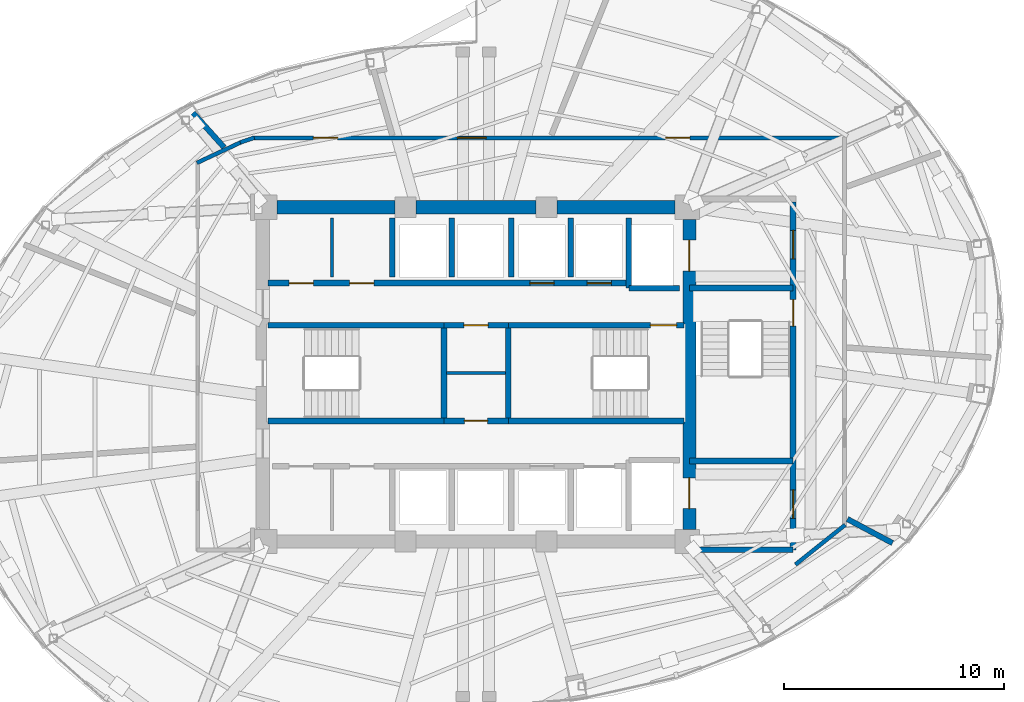
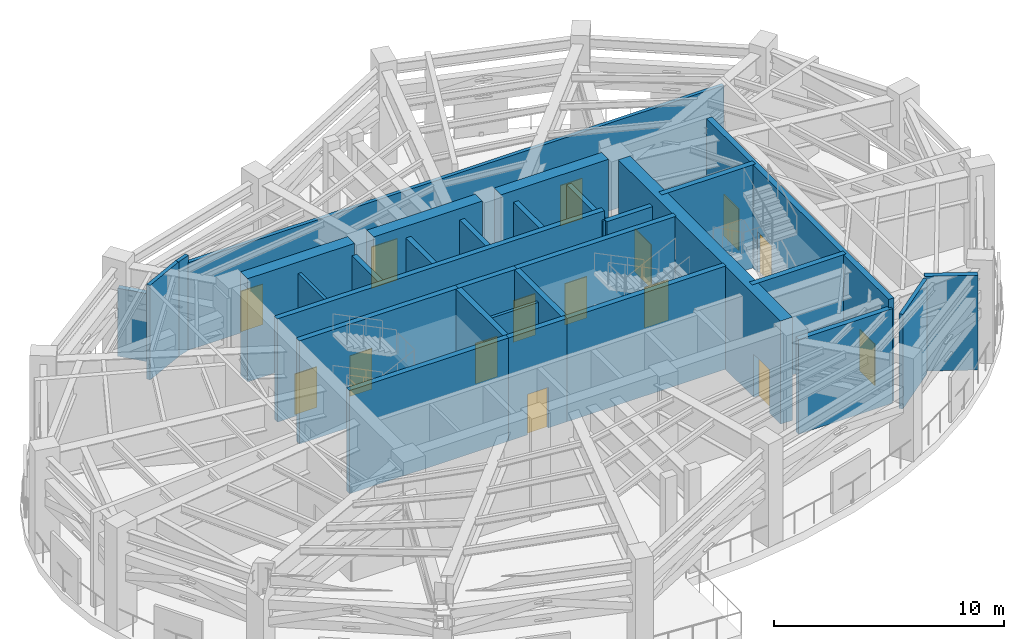
# One storey, part 8 of 12: 31 walls, 15 doors, 15 openings.
"""IFC4 building model written with IfcOpenShell, lengths in metres."""

from ifc_helpers import new_model, si_unit, direction, frame, frame_2d, origin, place, context, subcontext, project, spatial, rectangle, extrude, material, layer, layer_set, type_object, element, fill, save


model = new_model("IFC4")

# Units and contexts
model_context = context("Model", 3, precision=1e-05, world=origin(), true_north=direction((0.0, 1.0)))
body_context = subcontext(model_context, "Body", "Model", "MODEL_VIEW")
ifc_project = project(units=[si_unit("LENGTHUNIT", "METRE"), si_unit("AREAUNIT", "SQUARE_METRE"), si_unit("VOLUMEUNIT", "CUBIC_METRE"), si_unit("PLANEANGLEUNIT", "RADIAN"), si_unit("MASSUNIT", "GRAM", prefix="KILO")], contexts=[model_context])

# Site, building, storey
site_placement = place(None, origin())
site = spatial("IfcSite", under=ifc_project, at=site_placement, CompositionType="ELEMENT")
building_placement = place(site_placement, origin())
building = spatial("IfcBuilding", under=site, at=building_placement, Name="Lazwardi Medical Tower", CompositionType="ELEMENT")
storey_placement = place(building_placement, frame((0.0, 0.0, 189.360107421875)))
storey = spatial("IfcBuildingStorey", under=building, at=storey_placement, Name="L49", CompositionType="ELEMENT", Elevation=189.360107421875)

# Walls
ifc_material_1 = material(Name="Fire-rated gypsum board on steel stud", Category="steel")
ifc_layer_1 = layer(ifc_material_1, 0.179931640625)
ifc_layer_set_1 = layer_set([ifc_layer_1], Name="Fire-rated gypsum board on steel stud")
wall_type_1 = type_object("IfcWallType", Name="WL-COR-180", PredefinedType="PARTITIONING", material=ifc_layer_set_1)
wall_1_placement = place(storey_placement, frame((23.313720703125, 37.616943359375, 0.0), z_axis=(0.0, 0.0, 1.0), x_axis=(0.905731790856, 0.423851298255, 0.0)))
element("IfcWall", 1, at=wall_1_placement, inside=storey, type_object=wall_type_1, Name="L49 Corridor partition 1", PredefinedType="PARTITIONING", context=body_context, shape_type="SweptSolid", body=[
    extrude(rectangle(XDim=2.255126953125, YDim=0.179931640625, at=frame_2d((1.12744140625, 0.0))), origin(), (0.0, 0.0, 1.0), 5.02197265625),
])
wall_2_placement = place(storey_placement, frame((25.2822265625, 38.54248046875, 0.0), z_axis=(0.0, 0.0, 1.0), x_axis=(0.94508059942, 0.326837361085, 0.0)))
element("IfcWall", 2, at=wall_2_placement, inside=storey, type_object=wall_type_1, Name="L49 Corridor partition 2", PredefinedType="PARTITIONING", context=body_context, shape_type="SweptSolid", body=[
    extrude(rectangle(XDim=0.67529296875, YDim=0.179931640625, at=frame_2d((0.337646484375, 0.0))), origin(), (0.0, 0.0, 1.0), 5.02197265625),
])

# Wall, openings, doors
wall_3_placement = place(storey_placement, frame((25.842529296875, 38.75, 0.0), z_axis=(0.0, 0.0, 1.0), x_axis=(1.0, 0.0, 0.0)))
wall_3 = element("IfcWall", 3, at=wall_3_placement, inside=storey, type_object=wall_type_1, Name="L49 Corridor partition 3", PredefinedType="PARTITIONING", context=body_context, shape_type="SweptSolid", body=[
    extrude(rectangle(XDim=26.947509765625, YDim=0.179931640625, at=frame_2d((13.4736328125, 0.0))), origin(), (0.0, 0.0, 1.0), 4.64697265625),
])
opening_1_placement = place(wall_3_placement, frame((18.77978515625, 0.0, 0.0)))
opening_1 = element("IfcOpeningElement", 4, at=opening_1_placement, cuts=wall_3, Name="Opening D-L49-014", PredefinedType="OPENING", context=body_context, shape_type="SweptSolid", body=[
    extrude(rectangle(XDim=1.10009765625, YDim=2.14990234375, at=frame_2d((0.550048828125, 1.074951171875))), frame((0.0, 0.099853515625, 0.0), z_axis=(0.0, -1.0, 0.0), x_axis=(1.0, 0.0, 0.0)), (0.0, 0.0, 1.0), 0.199951171875),
])
opening_2_placement = place(wall_3_placement, frame((9.31201171875, 0.0, 0.0)))
opening_2 = element("IfcOpeningElement", 5, at=opening_2_placement, cuts=wall_3, Name="Opening D-L49-015", PredefinedType="OPENING", context=body_context, shape_type="SweptSolid", body=[
    extrude(rectangle(XDim=1.300048828125, YDim=2.199951171875, at=frame_2d((0.64990234375, 1.10009765625))), frame((0.0, 0.099853515625, 0.0), z_axis=(0.0, -1.0, 0.0), x_axis=(1.0, 0.0, 0.0)), (0.0, 0.0, 1.0), 0.199951171875),
])
opening_3_placement = place(wall_3_placement, frame((2.760986328125, 0.0, 0.0)))
opening_3 = element("IfcOpeningElement", 6, at=opening_3_placement, cuts=wall_3, Name="Opening D-L49-016", PredefinedType="OPENING", context=body_context, shape_type="SweptSolid", body=[
    extrude(rectangle(XDim=1.10009765625, YDim=2.14990234375, at=frame_2d((0.550048828125, 1.074951171875))), frame((0.0, 0.099853515625, 0.0), z_axis=(0.0, -1.0, 0.0), x_axis=(1.0, 0.0, 0.0)), (0.0, 0.0, 1.0), 0.199951171875),
])
ifc_material_2 = material(Name="Fire-rated steel leaf and frame", Category="steel")
door_type_1 = type_object("IfcDoorType", Name="DR-FFL-1300", OperationType="NOTDEFINED", PredefinedType="DOOR", material=ifc_material_2)
door_1_placement = place(opening_2_placement, origin())
door_1 = element("IfcDoor", 7, at=door_1_placement, inside=storey, type_object=door_type_1, Name="L49 Area of Refuge Door 05", OperationType="SINGLE_SWING_RIGHT", OverallHeight=2.199951171875, OverallWidth=1.300048828125, PredefinedType="DOOR", context=body_context, shape_type="SweptSolid", body=[
    extrude(rectangle(XDim=1.300048828125, YDim=2.199951171875, at=frame_2d((0.64990234375, 1.10009765625))), frame((0.0, 0.02490234375, 0.0), z_axis=(0.0, -1.0, 0.0), x_axis=(1.0, 0.0, 0.0)), (0.0, 0.0, 1.0), 0.050048828125),
])
fill(opening_2, door_1)
door_type_2 = type_object("IfcDoorType", Name="DR-PLT-1100", OperationType="NOTDEFINED", PredefinedType="DOOR", material=ifc_material_2)
door_2_placement = place(opening_1_placement, origin())
door_2 = element("IfcDoor", 8, at=door_2_placement, inside=storey, type_object=door_type_2, Name="L49 AHU Plant Room Door 04", OperationType="SINGLE_SWING_LEFT", OverallHeight=2.14990234375, OverallWidth=1.10009765625, PredefinedType="DOOR", context=body_context, shape_type="SweptSolid", body=[
    extrude(rectangle(XDim=1.10009765625, YDim=2.14990234375, at=frame_2d((0.550048828125, 1.074951171875))), frame((0.0, 0.02490234375, 0.0), z_axis=(0.0, -1.0, 0.0), x_axis=(1.0, 0.0, 0.0)), (0.0, 0.0, 1.0), 0.050048828125),
])
fill(opening_1, door_2)
door_3_placement = place(opening_3_placement, origin())
door_3 = element("IfcDoor", 9, at=door_3_placement, inside=storey, type_object=door_type_2, Name="L49 Pump Room Door 06", OperationType="SINGLE_SWING_LEFT", OverallHeight=2.14990234375, OverallWidth=1.10009765625, PredefinedType="DOOR", context=body_context, shape_type="SweptSolid", body=[
    extrude(rectangle(XDim=1.10009765625, YDim=2.14990234375, at=frame_2d((0.550048828125, 1.074951171875))), frame((0.0, 0.02490234375, 0.0), z_axis=(0.0, -1.0, 0.0), x_axis=(1.0, 0.0, 0.0)), (0.0, 0.0, 1.0), 0.050048828125),
])
fill(opening_3, door_3)

# Wall
wall_4_placement = place(storey_placement, frame((52.78125, 21.161376953125, 0.0), z_axis=(0.0, 0.0, 1.0), x_axis=(-0.781386795829, -0.624047013697, 0.0)))
element("IfcWall", 10, at=wall_4_placement, inside=storey, type_object=wall_type_1, Name="L49 Corridor partition 5", PredefinedType="PARTITIONING", context=body_context, shape_type="SweptSolid", body=[
    extrude(rectangle(XDim=2.8955078125, YDim=0.179931640625, at=frame_2d((1.44775390625, 0.0))), origin(), (0.0, 0.0, 1.0), 5.02197265625),
])

# Wall, openings, doors
ifc_material_3 = material(Name="Concrete C60/75", Category="concrete")
ifc_layer_2 = layer(ifc_material_3, 0.60009765625)
ifc_layer_set_2 = layer_set([ifc_layer_2], Name="Concrete C60/75")
wall_type_2 = type_object("IfcWallType", Name="WL-CORE-600", PredefinedType="SHEAR", material=ifc_layer_set_2)
wall_5_placement = place(storey_placement, frame((45.699951171875, 20.949951171875, 0.0), z_axis=(0.0, 0.0, 1.0), x_axis=(0.0, 1.0, 0.0)))
wall_5 = element("IfcWall", 11, at=wall_5_placement, inside=storey, type_object=wall_type_2, Name="Core wall CW-S3 east L49", PredefinedType="SHEAR", context=body_context, shape_type="SweptSolid", body=[
    extrude(rectangle(XDim=14.10009765625, YDim=0.60009765625, at=frame_2d((7.050048828125, 0.0))), origin(), (0.0, 0.0, 1.0), 5.471923828125),
])
opening_4_placement = place(wall_5_placement, frame((11.75, 0.0, 0.0)))
opening_4 = element("IfcOpeningElement", 12, at=opening_4_placement, cuts=wall_5, Name="Opening LD-L49-001", PredefinedType="OPENING", context=body_context, shape_type="SweptSolid", body=[
    extrude(rectangle(XDim=1.39990234375, YDim=2.300048828125, at=frame_2d((0.699951171875, 1.14990234375))), frame((0.0, 0.31005859375, 0.0), z_axis=(0.0, -1.0, 0.0), x_axis=(1.0, 0.0, 0.0)), (0.0, 0.0, 1.0), 0.6201171875),
])
opening_5_placement = place(wall_5_placement, frame((0.949951171875, 0.0, 0.0)))
opening_5 = element("IfcOpeningElement", 13, at=opening_5_placement, cuts=wall_5, Name="Opening LD-L49-002", PredefinedType="OPENING", context=body_context, shape_type="SweptSolid", body=[
    extrude(rectangle(XDim=1.39990234375, YDim=2.300048828125, at=frame_2d((0.699951171875, 1.14990234375))), frame((0.0, 0.31005859375, 0.0), z_axis=(0.0, -1.0, 0.0), x_axis=(1.0, 0.0, 0.0)), (0.0, 0.0, 1.0), 0.6201171875),
])
ifc_material_4 = material(Name="Brushed stainless steel bed-lift landing door", Category="steel")
door_type_3 = type_object("IfcDoorType", Name="DR-LFT-1400", OperationType="NOTDEFINED", PredefinedType="DOOR", material=ifc_material_4)
door_4_placement = place(opening_4_placement, origin())
door_4 = element("IfcDoor", 14, at=door_4_placement, inside=storey, type_object=door_type_3, Name="L49 Lift Landing Door FL-01", OperationType="SLIDING_TO_LEFT", OverallHeight=2.300048828125, OverallWidth=1.39990234375, PredefinedType="DOOR", context=body_context, shape_type="SweptSolid", body=[
    extrude(rectangle(XDim=1.39990234375, YDim=2.300048828125, at=frame_2d((0.699951171875, 1.14990234375))), frame((0.0, 0.02490234375, 0.0), z_axis=(0.0, -1.0, 0.0), x_axis=(1.0, 0.0, 0.0)), (0.0, 0.0, 1.0), 0.050048828125),
])
fill(opening_4, door_4)
door_5_placement = place(opening_5_placement, origin())
door_5 = element("IfcDoor", 15, at=door_5_placement, inside=storey, type_object=door_type_3, Name="L49 Lift Landing Door FL-02", OperationType="SLIDING_TO_LEFT", OverallHeight=2.300048828125, OverallWidth=1.39990234375, PredefinedType="DOOR", context=body_context, shape_type="SweptSolid", body=[
    extrude(rectangle(XDim=1.39990234375, YDim=2.300048828125, at=frame_2d((0.699951171875, 1.14990234375))), frame((0.0, 0.02490234375, 0.0), z_axis=(0.0, -1.0, 0.0), x_axis=(1.0, 0.0, 0.0)), (0.0, 0.0, 1.0), 0.050048828125),
])
fill(opening_5, door_5)

# Walls
wall_6_placement = place(storey_placement, frame((26.949951171875, 35.60009765625, 0.0), z_axis=(0.0, 0.0, 1.0), x_axis=(1.0, 0.0, 0.0)))
element("IfcWall", 16, at=wall_6_placement, inside=storey, type_object=wall_type_2, Name="Core wall CW-S3 N1 L49", PredefinedType="SHEAR", context=body_context, shape_type="SweptSolid", body=[
    extrude(rectangle(XDim=5.375, YDim=0.60009765625, at=frame_2d((2.6875, 0.0))), origin(), (0.0, 0.0, 1.0), 5.471923828125),
])
wall_7_placement = place(storey_placement, frame((33.27490234375, 35.60009765625, 0.0), z_axis=(0.0, 0.0, 1.0), x_axis=(1.0, 0.0, 0.0)))
element("IfcWall", 17, at=wall_7_placement, inside=storey, type_object=wall_type_2, Name="Core wall CW-S3 N2 L49", PredefinedType="SHEAR", context=body_context, shape_type="SweptSolid", body=[
    extrude(rectangle(XDim=5.4501953125, YDim=0.60009765625, at=frame_2d((2.72509765625, 0.0))), origin(), (0.0, 0.0, 1.0), 5.471923828125),
])
wall_8_placement = place(storey_placement, frame((39.675048828125, 35.60009765625, 0.0), z_axis=(0.0, 0.0, 1.0), x_axis=(1.0, 0.0, 0.0)))
element("IfcWall", 18, at=wall_8_placement, inside=storey, type_object=wall_type_2, Name="Core wall CW-S3 N3 L49", PredefinedType="SHEAR", context=body_context, shape_type="SweptSolid", body=[
    extrude(rectangle(XDim=5.375, YDim=0.60009765625, at=frame_2d((2.6875, 0.0))), origin(), (0.0, 0.0, 1.0), 5.471923828125),
])
ifc_material_5 = material(Name="Autoclaved aerated concrete blockwork", Category="masonry")
ifc_layer_3 = layer(ifc_material_5, 0.25)
ifc_layer_set_3 = layer_set([ifc_layer_3], Name="Autoclaved aerated concrete blockwork")
wall_type_3 = type_object("IfcWallType", Name="WL-SHAFT-250", PredefinedType="SOLIDWALL", material=ifc_layer_set_3)
wall_9_placement = place(storey_placement, frame((42.949951171875, 31.919921875, 0.0), z_axis=(0.0, 0.0, 1.0), x_axis=(0.0, 1.0, 0.0)))
element("IfcWall", 19, at=wall_9_placement, inside=storey, type_object=wall_type_3, Name="L49 FL-01 West shaft wall", PredefinedType="SOLIDWALL", context=body_context, shape_type="SweptSolid", body=[
    extrude(rectangle(XDim=3.18017578125, YDim=0.25, at=frame_2d((1.590087890625, 0.0))), origin(), (0.0, 0.0, 1.0), 5.02197265625),
])
wall_10_placement = place(storey_placement, frame((42.949951171875, 31.919921875, 0.0), z_axis=(0.0, 0.0, 1.0), x_axis=(1.0, 0.0, 0.0)))
element("IfcWall", 20, at=wall_10_placement, inside=storey, type_object=wall_type_3, Name="L49 FL-01 South shaft wall", PredefinedType="SOLIDWALL", context=body_context, shape_type="SweptSolid", body=[
    extrude(rectangle(XDim=2.300048828125, YDim=0.25, at=frame_2d((1.14990234375, 0.0))), origin(), (0.0, 0.0, 1.0), 5.02197265625),
])
for number, where, z_axis, x_axis, name in (
    (21, (32.199951171875, 32.419921875, 0.0), (0.0, 0.0, 1.0), (0.0, 1.0, 0.0), "L49 North hoistway divider"),
    (22, (34.89990234375, 32.419921875, 0.0), (0.0, 0.0, 1.0), (0.0, 1.0, 0.0), "L49 North hoistway divider"),
    (23, (37.60009765625, 32.419921875, 0.0), (0.0, 0.0, 1.0), (0.0, 1.0, 0.0), "L49 North hoistway divider"),
    (24, (40.300048828125, 32.419921875, 0.0), (0.0, 0.0, 1.0), (0.0, 1.0, 0.0), "L49 North hoistway divider"),
):
    element("IfcWall", number, at=place(storey_placement, frame(where, z_axis=z_axis, x_axis=x_axis)), inside=storey, type_object=wall_type_3, Name=name, PredefinedType="SOLIDWALL", context=body_context, shape_type="SweptSolid", body=[
        extrude(rectangle(XDim=2.68017578125, YDim=0.25, at=frame_2d((1.340087890625, 0.0))), origin(), (0.0, 0.0, 1.0), 5.02197265625),
    ])
wall_11_placement = place(storey_placement, frame((45.699951171875, 20.02001953125, 0.0), z_axis=(0.0, 0.0, 1.0), x_axis=(1.0, 0.0, 0.0)))
element("IfcWall", 25, at=wall_11_placement, inside=storey, type_object=wall_type_3, Name="L49 FFL-S South wall", PredefinedType="SOLIDWALL", context=body_context, shape_type="SweptSolid", body=[
    extrude(rectangle(XDim=4.715087890625, YDim=0.25, at=frame_2d((2.357421875, 0.0))), origin(), (0.0, 0.0, 1.0), 5.02197265625),
])
wall_12_placement = place(storey_placement, frame((52.880126953125, 21.4248046875, 0.0), z_axis=(0.0, 0.0, 1.0), x_axis=(0.882910361181, -0.46954157869, 0.0)))
element("IfcWall", 26, at=wall_12_placement, inside=storey, type_object=wall_type_3, Name="L49 Room partition 1", PredefinedType="SOLIDWALL", context=body_context, shape_type="SweptSolid", body=[
    extrude(rectangle(XDim=2.3251953125, YDim=0.25, at=frame_2d((1.16259765625, 0.0))), origin(), (0.0, 0.0, 1.0), 5.02197265625),
])
wall_13_placement = place(storey_placement, frame((24.548095703125, 38.318603515625, 0.0), z_axis=(0.0, 0.0, 1.0), x_axis=(-0.669105157773, 0.743167738698, 0.0)))
element("IfcWall", 27, at=wall_13_placement, inside=storey, type_object=wall_type_3, Name="L49 Room partition 6", PredefinedType="SOLIDWALL", context=body_context, shape_type="SweptSolid", body=[
    extrude(rectangle(XDim=2.113037109375, YDim=0.25, at=frame_2d((1.056640625, 0.0))), origin(), (0.0, 0.0, 1.0), 3.60693359375),
])
ifc_material_6 = material(Name="Concrete C50/60", Category="concrete")
ifc_layer_4 = layer(ifc_material_6, 0.27001953125)
ifc_layer_set_4 = layer_set([ifc_layer_4], Name="Concrete C50/60")
wall_type_4 = type_object("IfcWallType", Name="WL-STR-250", PredefinedType="SHEAR", material=ifc_layer_set_4)
wall_14_placement = place(storey_placement, frame((26.550048828125, 30.235107421875, 0.0), z_axis=(0.0, 0.0, 1.0), x_axis=(1.0, 0.0, 0.0)))
element("IfcWall", 28, at=wall_14_placement, inside=storey, type_object=wall_type_4, Name="L49 ST1 North shear shaft wall SW-S1", PredefinedType="SHEAR", context=body_context, shape_type="SweptSolid", body=[
    extrude(rectangle(XDim=7.98486328125, YDim=0.27001953125, at=frame_2d((3.992431640625, 0.0))), origin(), (0.0, 0.0, 1.0), 5.471923828125),
])

# Wall, opening, door
wall_15_placement = place(storey_placement, frame((34.534912109375, 30.235107421875, 0.0), z_axis=(0.0, 0.0, 1.0), x_axis=(1.0, 0.0, 0.0)))
wall_15 = element("IfcWall", 29, at=wall_15_placement, inside=storey, type_object=wall_type_4, Name="L49 Core service North shear wall SW-S1", PredefinedType="SHEAR", context=body_context, shape_type="SweptSolid", body=[
    extrude(rectangle(XDim=2.93017578125, YDim=0.27001953125, at=frame_2d((1.465087890625, 0.0))), origin(), (0.0, 0.0, 1.0), 5.471923828125),
])
opening_6_placement = place(wall_15_placement, frame((0.9150390625, 0.0, 0.0)))
opening_6 = element("IfcOpeningElement", 30, at=opening_6_placement, cuts=wall_15, Name="Opening D-L49-002", PredefinedType="OPENING", context=body_context, shape_type="SweptSolid", body=[
    extrude(rectangle(XDim=1.10009765625, YDim=2.14990234375, at=frame_2d((0.550048828125, 1.074951171875))), frame((0.0, 0.14501953125, 0.0), z_axis=(0.0, -1.0, 0.0), x_axis=(1.0, 0.0, 0.0)), (0.0, 0.0, 1.0), 0.2900390625),
])
door_6_placement = place(opening_6_placement, origin())
door_6 = element("IfcDoor", 31, at=door_6_placement, inside=storey, type_object=door_type_2, Name="L49 Electrical Room Door", OperationType="SINGLE_SWING_RIGHT", OverallHeight=2.14990234375, OverallWidth=1.10009765625, PredefinedType="DOOR", context=body_context, shape_type="SweptSolid", body=[
    extrude(rectangle(XDim=1.10009765625, YDim=2.14990234375, at=frame_2d((0.550048828125, 1.074951171875))), frame((0.0, 0.02490234375, 0.0), z_axis=(0.0, -1.0, 0.0), x_axis=(1.0, 0.0, 0.0)), (0.0, 0.0, 1.0), 0.050048828125),
])
fill(opening_6, door_6)

wall_16_placement = place(storey_placement, frame((37.465087890625, 30.235107421875, 0.0), z_axis=(0.0, 0.0, 1.0), x_axis=(1.0, 0.0, 0.0)))
wall_16 = element("IfcWall", 32, at=wall_16_placement, inside=storey, type_object=wall_type_4, Name="L49 ST2 North shear shaft wall SW-S1", PredefinedType="SHEAR", context=body_context, shape_type="SweptSolid", body=[
    extrude(rectangle(XDim=7.98486328125, YDim=0.27001953125, at=frame_2d((3.992431640625, 0.0))), origin(), (0.0, 0.0, 1.0), 5.471923828125),
])
opening_7_placement = place(wall_16_placement, frame((6.455078125, 0.0, 0.0)))
opening_7 = element("IfcOpeningElement", 33, at=opening_7_placement, cuts=wall_16, Name="Opening D-L49-020", PredefinedType="OPENING", context=body_context, shape_type="SweptSolid", body=[
    extrude(rectangle(XDim=1.199951171875, YDim=2.14990234375, at=frame_2d((0.60009765625, 1.074951171875))), frame((0.0, 0.14501953125, 0.0), z_axis=(0.0, -1.0, 0.0), x_axis=(1.0, 0.0, 0.0)), (0.0, 0.0, 1.0), 0.2900390625),
])
door_type_4 = type_object("IfcDoorType", Name="DR-STR-1200", OperationType="NOTDEFINED", PredefinedType="DOOR", material=ifc_material_2)
door_7_placement = place(opening_7_placement, origin())
door_7 = element("IfcDoor", 34, at=door_7_placement, inside=storey, type_object=door_type_4, Name="L49 Exit Stair ST2 Door", OperationType="SINGLE_SWING_RIGHT", OverallHeight=2.14990234375, OverallWidth=1.199951171875, PredefinedType="DOOR", context=body_context, shape_type="SweptSolid", body=[
    extrude(rectangle(XDim=1.199951171875, YDim=2.14990234375, at=frame_2d((0.60009765625, 1.074951171875))), frame((0.0, 0.02490234375, 0.0), z_axis=(0.0, -1.0, 0.0), x_axis=(1.0, 0.0, 0.0)), (0.0, 0.0, 1.0), 0.050048828125),
])
fill(opening_7, door_7)

# Wall
wall_17_placement = place(storey_placement, frame((26.550048828125, 25.885009765625, 0.0), z_axis=(0.0, 0.0, 1.0), x_axis=(1.0, 0.0, 0.0)))
element("IfcWall", 35, at=wall_17_placement, inside=storey, type_object=wall_type_4, Name="L49 ST1 South shear shaft wall SW-S1", PredefinedType="SHEAR", context=body_context, shape_type="SweptSolid", body=[
    extrude(rectangle(XDim=7.98486328125, YDim=0.27001953125, at=frame_2d((3.992431640625, 0.0))), origin(), (0.0, 0.0, 1.0), 5.471923828125),
])

# Wall, opening, door
wall_18_placement = place(storey_placement, frame((34.534912109375, 25.885009765625, 0.0), z_axis=(0.0, 0.0, 1.0), x_axis=(1.0, 0.0, 0.0)))
wall_18 = element("IfcWall", 36, at=wall_18_placement, inside=storey, type_object=wall_type_4, Name="L49 Core service South shear wall SW-S1", PredefinedType="SHEAR", context=body_context, shape_type="SweptSolid", body=[
    extrude(rectangle(XDim=2.93017578125, YDim=0.27001953125, at=frame_2d((1.465087890625, 0.0))), origin(), (0.0, 0.0, 1.0), 5.471923828125),
])
opening_8_placement = place(wall_18_placement, frame((0.93994140625, 0.0, 0.0)))
opening_8 = element("IfcOpeningElement", 37, at=opening_8_placement, cuts=wall_18, Name="Opening D-L49-001", PredefinedType="OPENING", context=body_context, shape_type="SweptSolid", body=[
    extrude(rectangle(XDim=1.050048828125, YDim=2.14990234375, at=frame_2d((0.52490234375, 1.074951171875))), frame((0.0, 0.14501953125, 0.0), z_axis=(0.0, -1.0, 0.0), x_axis=(1.0, 0.0, 0.0)), (0.0, 0.0, 1.0), 0.2900390625),
])
ifc_material_7 = material(Name="Anti-microbial laminate hospital leaf")
door_type_5 = type_object("IfcDoorType", Name="DR-CLN-1050", OperationType="NOTDEFINED", PredefinedType="DOOR", material=ifc_material_7)
door_8_placement = place(opening_8_placement, origin())
door_8 = element("IfcDoor", 38, at=door_8_placement, inside=storey, type_object=door_type_5, Name="L49 Dirty Sluice Door", OperationType="SINGLE_SWING_LEFT", OverallHeight=2.14990234375, OverallWidth=1.050048828125, PredefinedType="DOOR", context=body_context, shape_type="SweptSolid", body=[
    extrude(rectangle(XDim=1.050048828125, YDim=2.14990234375, at=frame_2d((0.52490234375, 1.074951171875))), frame((0.0, 0.02490234375, 0.0), z_axis=(0.0, -1.0, 0.0), x_axis=(1.0, 0.0, 0.0)), (0.0, 0.0, 1.0), 0.050048828125),
])
fill(opening_8, door_8)

# Walls
wall_19_placement = place(storey_placement, frame((37.465087890625, 25.885009765625, 0.0), z_axis=(0.0, 0.0, 1.0), x_axis=(1.0, 0.0, 0.0)))
element("IfcWall", 39, at=wall_19_placement, inside=storey, type_object=wall_type_4, Name="L49 ST2 South shear shaft wall SW-S1", PredefinedType="SHEAR", context=body_context, shape_type="SweptSolid", body=[
    extrude(rectangle(XDim=7.98486328125, YDim=0.27001953125, at=frame_2d((3.992431640625, 0.0))), origin(), (0.0, 0.0, 1.0), 5.471923828125),
])
for number, where, z_axis, x_axis, name in (
    (40, (34.534912109375, 26.02001953125, 0.0), (0.0, 0.0, 1.0), (0.0, 1.0, 0.0), "L49 ST1 East shear shaft wall SW-S1"),
    (41, (37.465087890625, 26.02001953125, 0.0), (0.0, 0.0, 1.0), (0.0, 1.0, 0.0), "L49 ST2 West shear shaft wall SW-S1"),
):
    element("IfcWall", number, at=place(storey_placement, frame(where, z_axis=z_axis, x_axis=x_axis)), inside=storey, type_object=wall_type_4, Name=name, PredefinedType="SHEAR", context=body_context, shape_type="SweptSolid", body=[
        extrude(rectangle(XDim=4.080078125, YDim=0.27001953125, at=frame_2d((2.0400390625, 0.0))), origin(), (0.0, 0.0, 1.0), 5.471923828125),
    ])

# Wall, openings, doors
wall_20_placement = place(storey_placement, frame((26.550048828125, 32.14990234375, 0.0), z_axis=(0.0, 0.0, 1.0), x_axis=(1.0, 0.0, 0.0)))
wall_20 = element("IfcWall", 42, at=wall_20_placement, inside=storey, type_object=wall_type_4, Name="L49 North lift bank shear wall SW-S1", PredefinedType="SHEAR", context=body_context, shape_type="SweptSolid", body=[
    extrude(rectangle(XDim=16.39990234375, YDim=0.27001953125, at=frame_2d((8.199951171875, 0.0))), origin(), (0.0, 0.0, 1.0), 5.471923828125),
])
opening_9_placement = place(wall_20_placement, frame((0.949951171875, 0.0, 0.0)))
opening_9 = element("IfcOpeningElement", 43, at=opening_9_placement, cuts=wall_20, Name="Opening D-L49-003", PredefinedType="OPENING", context=body_context, shape_type="SweptSolid", body=[
    extrude(rectangle(XDim=1.10009765625, YDim=2.14990234375, at=frame_2d((0.550048828125, 1.074951171875))), frame((0.0, 0.14501953125, 0.0), z_axis=(0.0, -1.0, 0.0), x_axis=(1.0, 0.0, 0.0)), (0.0, 0.0, 1.0), 0.2900390625),
])
opening_10_placement = place(wall_20_placement, frame((3.699951171875, 0.0, 0.0)))
opening_10 = element("IfcOpeningElement", 44, at=opening_10_placement, cuts=wall_20, Name="Opening D-L49-004", PredefinedType="OPENING", context=body_context, shape_type="SweptSolid", body=[
    extrude(rectangle(XDim=1.10009765625, YDim=2.14990234375, at=frame_2d((0.550048828125, 1.074951171875))), frame((0.0, 0.14501953125, 0.0), z_axis=(0.0, -1.0, 0.0), x_axis=(1.0, 0.0, 0.0)), (0.0, 0.0, 1.0), 0.2900390625),
])
opening_11_placement = place(wall_20_placement, frame((11.89990234375, 0.0, 0.0)))
opening_11 = element("IfcOpeningElement", 45, at=opening_11_placement, cuts=wall_20, Name="Opening LD-L49-004", PredefinedType="OPENING", context=body_context, shape_type="SweptSolid", body=[
    extrude(rectangle(XDim=1.10009765625, YDim=2.199951171875, at=frame_2d((0.550048828125, 1.10009765625))), frame((0.0, 0.14501953125, 0.0), z_axis=(0.0, -1.0, 0.0), x_axis=(1.0, 0.0, 0.0)), (0.0, 0.0, 1.0), 0.2900390625),
])
opening_12_placement = place(wall_20_placement, frame((14.5, 0.0, 0.0)))
opening_12 = element("IfcOpeningElement", 46, at=opening_12_placement, cuts=wall_20, Name="Opening LD-L49-005", PredefinedType="OPENING", context=body_context, shape_type="SweptSolid", body=[
    extrude(rectangle(XDim=1.10009765625, YDim=2.199951171875, at=frame_2d((0.550048828125, 1.10009765625))), frame((0.0, 0.14501953125, 0.0), z_axis=(0.0, -1.0, 0.0), x_axis=(1.0, 0.0, 0.0)), (0.0, 0.0, 1.0), 0.2900390625),
])
ifc_material_8 = material(Name="Brushed bronze stainless steel landing door", Category="steel")
door_type_6 = type_object("IfcDoorType", Name="DR-LFT-1100", OperationType="NOTDEFINED", PredefinedType="DOOR", material=ifc_material_8)
door_9_placement = place(opening_11_placement, origin())
door_9 = element("IfcDoor", 47, at=door_9_placement, inside=storey, type_object=door_type_6, Name="L49 Lift Landing Door PL-09", OperationType="SLIDING_TO_LEFT", OverallHeight=2.199951171875, OverallWidth=1.10009765625, PredefinedType="DOOR", context=body_context, shape_type="SweptSolid", body=[
    extrude(rectangle(XDim=1.10009765625, YDim=2.199951171875, at=frame_2d((0.550048828125, 1.10009765625))), frame((0.0, 0.02490234375, 0.0), z_axis=(0.0, -1.0, 0.0), x_axis=(1.0, 0.0, 0.0)), (0.0, 0.0, 1.0), 0.050048828125),
])
fill(opening_11, door_9)
door_10_placement = place(opening_12_placement, origin())
door_10 = element("IfcDoor", 48, at=door_10_placement, inside=storey, type_object=door_type_6, Name="L49 Lift Landing Door PL-10", OperationType="SLIDING_TO_LEFT", OverallHeight=2.199951171875, OverallWidth=1.10009765625, PredefinedType="DOOR", context=body_context, shape_type="SweptSolid", body=[
    extrude(rectangle(XDim=1.10009765625, YDim=2.199951171875, at=frame_2d((0.550048828125, 1.10009765625))), frame((0.0, 0.02490234375, 0.0), z_axis=(0.0, -1.0, 0.0), x_axis=(1.0, 0.0, 0.0)), (0.0, 0.0, 1.0), 0.050048828125),
])
fill(opening_12, door_10)
door_11_placement = place(opening_9_placement, origin())
door_11 = element("IfcDoor", 49, at=door_11_placement, inside=storey, type_object=door_type_2, Name="L49 Medical Gas Plant Door", OperationType="SINGLE_SWING_LEFT", OverallHeight=2.14990234375, OverallWidth=1.10009765625, PredefinedType="DOOR", context=body_context, shape_type="SweptSolid", body=[
    extrude(rectangle(XDim=1.10009765625, YDim=2.14990234375, at=frame_2d((0.550048828125, 1.074951171875))), frame((0.0, 0.02490234375, 0.0), z_axis=(0.0, -1.0, 0.0), x_axis=(1.0, 0.0, 0.0)), (0.0, 0.0, 1.0), 0.050048828125),
])
fill(opening_9, door_11)
door_12_placement = place(opening_10_placement, origin())
door_12 = element("IfcDoor", 50, at=door_12_placement, inside=storey, type_object=door_type_2, Name="L49 AHU Plant Door", OperationType="SINGLE_SWING_RIGHT", OverallHeight=2.14990234375, OverallWidth=1.10009765625, PredefinedType="DOOR", context=body_context, shape_type="SweptSolid", body=[
    extrude(rectangle(XDim=1.10009765625, YDim=2.14990234375, at=frame_2d((0.550048828125, 1.074951171875))), frame((0.0, 0.02490234375, 0.0), z_axis=(0.0, -1.0, 0.0), x_axis=(1.0, 0.0, 0.0)), (0.0, 0.0, 1.0), 0.050048828125),
])
fill(opening_10, door_12)

wall_21_placement = place(storey_placement, frame((50.4150390625, 35.844970703125, 0.0), z_axis=(0.0, 0.0, 1.0), x_axis=(0.0, -1.0, 0.0)))
wall_21 = element("IfcWall", 51, at=wall_21_placement, inside=storey, type_object=wall_type_4, Name="L49 East ST3 & FFL shear wall SW-S1", PredefinedType="SHEAR", context=body_context, shape_type="SweptSolid", body=[
    extrude(rectangle(XDim=15.824951171875, YDim=0.27001953125, at=frame_2d((7.91259765625, 0.0))), origin(), (0.0, 0.0, 1.0), 5.471923828125),
])
opening_13_placement = place(wall_21_placement, frame((4.445068359375, 0.0, 0.0)))
opening_13 = element("IfcOpeningElement", 52, at=opening_13_placement, cuts=wall_21, Name="Opening D-L49-021", PredefinedType="OPENING", context=body_context, shape_type="SweptSolid", body=[
    extrude(rectangle(XDim=1.199951171875, YDim=2.14990234375, at=frame_2d((0.60009765625, 1.074951171875))), frame((0.0, 0.14501953125, 0.0), z_axis=(0.0, -1.0, 0.0), x_axis=(1.0, 0.0, 0.0)), (0.0, 0.0, 1.0), 0.2900390625),
])
opening_14_placement = place(wall_21_placement, frame((1.294921875, 0.0, 0.0)))
opening_14 = element("IfcOpeningElement", 53, at=opening_14_placement, cuts=wall_21, Name="Opening D-L49-007", PredefinedType="OPENING", context=body_context, shape_type="SweptSolid", body=[
    extrude(rectangle(XDim=1.300048828125, YDim=2.199951171875, at=frame_2d((0.64990234375, 1.10009765625))), frame((0.0, 0.14501953125, 0.0), z_axis=(0.0, -1.0, 0.0), x_axis=(1.0, 0.0, 0.0)), (0.0, 0.0, 1.0), 0.2900390625),
])
opening_15_placement = place(wall_21_placement, frame((13.094970703125, 0.0, 0.0)))
opening_15 = element("IfcOpeningElement", 54, at=opening_15_placement, cuts=wall_21, Name="Opening D-L49-008", PredefinedType="OPENING", context=body_context, shape_type="SweptSolid", body=[
    extrude(rectangle(XDim=1.300048828125, YDim=2.199951171875, at=frame_2d((0.64990234375, 1.10009765625))), frame((0.0, 0.14501953125, 0.0), z_axis=(0.0, -1.0, 0.0), x_axis=(1.0, 0.0, 0.0)), (0.0, 0.0, 1.0), 0.2900390625),
])
door_13_placement = place(opening_14_placement, origin())
door_13 = element("IfcDoor", 55, at=door_13_placement, inside=storey, type_object=door_type_1, Name="L49 Fire-Fighting Lobby North Door", OperationType="SINGLE_SWING_RIGHT", OverallHeight=2.199951171875, OverallWidth=1.300048828125, PredefinedType="DOOR", context=body_context, shape_type="SweptSolid", body=[
    extrude(rectangle(XDim=1.300048828125, YDim=2.199951171875, at=frame_2d((0.64990234375, 1.10009765625))), frame((0.0, 0.02490234375, 0.0), z_axis=(0.0, -1.0, 0.0), x_axis=(1.0, 0.0, 0.0)), (0.0, 0.0, 1.0), 0.050048828125),
])
fill(opening_14, door_13)
door_14_placement = place(opening_15_placement, origin())
door_14 = element("IfcDoor", 56, at=door_14_placement, inside=storey, type_object=door_type_1, Name="L49 Fire-Fighting Lobby South Door", OperationType="SINGLE_SWING_LEFT", OverallHeight=2.199951171875, OverallWidth=1.300048828125, PredefinedType="DOOR", context=body_context, shape_type="SweptSolid", body=[
    extrude(rectangle(XDim=1.300048828125, YDim=2.199951171875, at=frame_2d((0.64990234375, 1.10009765625))), frame((0.0, 0.02490234375, 0.0), z_axis=(0.0, -1.0, 0.0), x_axis=(1.0, 0.0, 0.0)), (0.0, 0.0, 1.0), 0.050048828125),
])
fill(opening_15, door_14)
door_15_placement = place(opening_13_placement, origin())
door_15 = element("IfcDoor", 57, at=door_15_placement, inside=storey, type_object=door_type_4, Name="L49 Exit Stair ST3 Door", OperationType="SINGLE_SWING_LEFT", OverallHeight=2.14990234375, OverallWidth=1.199951171875, PredefinedType="DOOR", context=body_context, shape_type="SweptSolid", body=[
    extrude(rectangle(XDim=1.199951171875, YDim=2.14990234375, at=frame_2d((0.60009765625, 1.074951171875))), frame((0.0, 0.02490234375, 0.0), z_axis=(0.0, -1.0, 0.0), x_axis=(1.0, 0.0, 0.0)), (0.0, 0.0, 1.0), 0.050048828125),
])
fill(opening_13, door_15)

# Walls
for number, where, z_axis, x_axis, name in (
    (58, (45.699951171875, 31.93505859375, 0.0), (0.0, 0.0, 1.0), (1.0, 0.0, 0.0), "L49 ST3 North shear shaft wall SW-S1"),
    (59, (45.699951171875, 24.06494140625, 0.0), (0.0, 0.0, 1.0), (1.0, 0.0, 0.0), "L49 ST3 South shear shaft wall SW-S1"),
):
    element("IfcWall", number, at=place(storey_placement, frame(where, z_axis=z_axis, x_axis=x_axis)), inside=storey, type_object=wall_type_4, Name=name, PredefinedType="SHEAR", context=body_context, shape_type="SweptSolid", body=[
        extrude(rectangle(XDim=4.715087890625, YDim=0.27001953125, at=frame_2d((2.357421875, 0.0))), origin(), (0.0, 0.0, 1.0), 5.471923828125),
    ])
ifc_material_9 = material(Name="Acoustic gypsum board partition")
ifc_layer_5 = layer(ifc_material_9, 0.14990234375)
ifc_layer_set_5 = layer_set([ifc_layer_5], Name="Acoustic gypsum board partition")
wall_type_5 = type_object("IfcWallType", Name="WL-WRD-150", PredefinedType="PARTITIONING", material=ifc_layer_set_5)
wall_22_placement = place(storey_placement, frame((34.64990234375, 28.06005859375, 0.0), z_axis=(0.0, 0.0, 1.0), x_axis=(1.0, 0.0, 0.0)))
element("IfcWall", 60, at=wall_22_placement, inside=storey, type_object=wall_type_5, Name="L49 Core service divider", PredefinedType="PARTITIONING", context=body_context, shape_type="SweptSolid", body=[
    extrude(rectangle(XDim=2.7001953125, YDim=0.14990234375, at=frame_2d((1.35009765625, 0.0))), origin(), (0.0, 0.0, 1.0), 5.02197265625),
])
wall_23_placement = place(storey_placement, frame((29.449951171875, 32.419921875, 0.0), z_axis=(0.0, 0.0, 1.0), x_axis=(0.0, 1.0, 0.0)))
element("IfcWall", 61, at=wall_23_placement, inside=storey, type_object=wall_type_5, Name="L49 Refuge core plant N split", PredefinedType="PARTITIONING", context=body_context, shape_type="SweptSolid", body=[
    extrude(rectangle(XDim=2.68017578125, YDim=0.14990234375, at=frame_2d((1.340087890625, 0.0))), origin(), (0.0, 0.0, 1.0), 5.02197265625),
])

save(model, "model.ifc")
